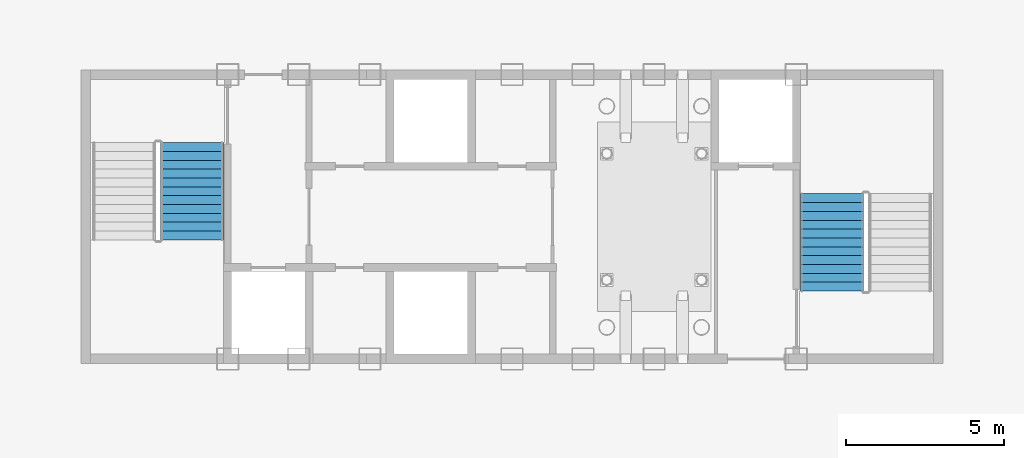
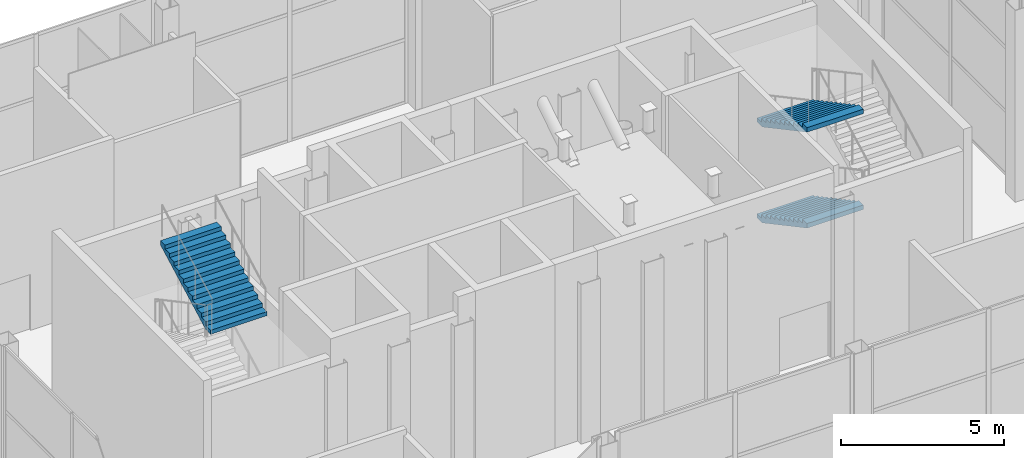
# One storey, part 12 of 15: 3 stair flights, 2 elements without a shape of their own.
"""IFC4 building model written with IfcOpenShell, lengths in metres."""

from ifc_helpers import new_model, si_unit, direction, frame, origin, place, context, subcontext, project, spatial, polygons, material, type_object, element, aggregate, save


model = new_model("IFC4")

# Units and contexts
model_context = context("Model", 3, precision=1e-05, world=origin(), true_north=direction((0.0, 1.0)))
body_context = subcontext(model_context, "Body", "Model", "MODEL_VIEW")
ifc_project = project(units=[si_unit("LENGTHUNIT", "METRE"), si_unit("AREAUNIT", "SQUARE_METRE"), si_unit("VOLUMEUNIT", "CUBIC_METRE"), si_unit("PLANEANGLEUNIT", "RADIAN"), si_unit("MASSUNIT", "GRAM", prefix="KILO")], contexts=[model_context])

# Site, building, storey
site_placement = place(None, origin())
site = spatial("IfcSite", under=ifc_project, at=site_placement, CompositionType="ELEMENT")
building_placement = place(site_placement, origin())
building = spatial("IfcBuilding", under=site, at=building_placement, Name="Caravel Reach Hotel and Residences", CompositionType="ELEMENT")
storey_placement = place(building_placement, frame((0.0, 0.0, 305.60009765625)))
storey = spatial("IfcBuildingStorey", under=building, at=storey_placement, Name="L78", CompositionType="ELEMENT", Elevation=305.60009765625)

# Stair, stair flight
ifc_material_1 = material(Name="Concrete C40", Category="concrete")
stair_type = type_object("IfcStairType", Name="Core stair", PredefinedType="HALF_TURN_STAIR", material=ifc_material_1)
stair_1_placement = place(storey_placement, origin())
stair_1 = element("IfcStair", 1, at=stair_1_placement, inside=storey, type_object=stair_type, Name="L78 Exit stair A", PredefinedType="HALF_TURN_STAIR")
ifc_material_2 = material(Name="Concrete C40", Category="concrete")
stair_flight_type = type_object("IfcStairFlightType", Name="Core stair flight", PredefinedType="STRAIGHT", material=ifc_material_2)
stair_flight_1_placement = place(storey_placement, frame((21.375, 26.27001953125, 5.39990234375), z_axis=(0.0, 0.0, 1.0), x_axis=(0.0, 1.0, 0.0)))
stair_flight_1 = element("IfcStairFlight", 2, at=stair_flight_1_placement, type_object=stair_flight_type, Name="ST-A flight 4", NumberOfRisers=12, NumberOfTreads=11, PredefinedType="STRAIGHT", RiserHeight=0.15, TreadLength=0.28, context=body_context, shape_type="Tessellation", body=[
    polygons([(0.3174408016601862, 1.0, 0.0), (0.3174408016601862, 0.6666666666666667, 0.0), (0.3174408016601862, 0.33333333333333337, 0.0), (0.3174408016601862, 0.0, 0.0), (0.3174408016601862, -0.33333333333333326, 0.0), (0.3174408016601862, -0.6666666666666667, 0.0), (0.3174408016601862, -1.0, 0.0), (3.081, 1.0, 1.479942427682043), (3.081, 0.6666666666666667, 1.479942427682043), (3.081, 0.33333333333333337, 1.479942427682043), (3.081, 0.0, 1.479942427682043), (3.081, -0.33333333333333326, 1.479942427682043), (3.081, -0.6666666666666667, 1.479942427682043), (3.081, -1.0, 1.479942427682043), (3.081, 1.0, 1.65), (3.081, 0.6666666666666667, 1.65), (3.081, 0.33333333333333337, 1.65), (3.081, 0.0, 1.65), (3.081, -0.33333333333333326, 1.65), (3.081, -0.6666666666666667, 1.65), (3.081, -1.0, 1.65), (2.8000000000000003, 1.0, 1.65), (2.8000000000000003, 0.6666666666666667, 1.65), (2.8000000000000003, 0.33333333333333337, 1.65), (2.8000000000000003, 0.0, 1.65), (2.8000000000000003, -0.33333333333333326, 1.65), (2.8000000000000003, -0.6666666666666667, 1.65), (2.8000000000000003, -1.0, 1.65), (2.8000000000000003, 1.0, 1.5), (2.8000000000000003, 0.6666666666666667, 1.5), (2.8000000000000003, 0.33333333333333337, 1.5), (2.8000000000000003, 0.0, 1.5), (2.8000000000000003, -0.33333333333333326, 1.5), (2.8000000000000003, -0.6666666666666667, 1.5), (2.8000000000000003, -1.0, 1.5), (2.5200000000000005, 1.0, 1.5), (2.5200000000000005, 0.6666666666666667, 1.5), (2.5200000000000005, 0.33333333333333337, 1.5), (2.5200000000000005, 0.0, 1.5), (2.5200000000000005, -0.33333333333333326, 1.5), (2.5200000000000005, -0.6666666666666667, 1.5), (2.5200000000000005, -1.0, 1.5), (2.5200000000000005, 1.0, 1.3499999999999999), (2.5200000000000005, 0.6666666666666667, 1.3499999999999999), (2.5200000000000005, 0.33333333333333337, 1.3499999999999999), (2.5200000000000005, 0.0, 1.3499999999999999), (2.5200000000000005, -0.33333333333333326, 1.3499999999999999), (2.5200000000000005, -0.6666666666666667, 1.3499999999999999), (2.5200000000000005, -1.0, 1.3499999999999999), (2.24, 1.0, 1.3499999999999999), (2.24, 0.6666666666666667, 1.3499999999999999), (2.24, 0.33333333333333337, 1.3499999999999999), (2.24, 0.0, 1.3499999999999999), (2.24, -0.33333333333333326, 1.3499999999999999), (2.24, -0.6666666666666667, 1.3499999999999999), (2.24, -1.0, 1.3499999999999999), (2.24, 1.0, 1.2), (2.24, 0.6666666666666667, 1.2), (2.24, 0.33333333333333337, 1.2), (2.24, 0.0, 1.2), (2.24, -0.33333333333333326, 1.2), (2.24, -0.6666666666666667, 1.2), (2.24, -1.0, 1.2), (1.9600000000000002, 1.0, 1.2), (1.9600000000000002, 0.6666666666666667, 1.2), (1.9600000000000002, 0.33333333333333337, 1.2), (1.9600000000000002, 0.0, 1.2), (1.9600000000000002, -0.33333333333333326, 1.2), (1.9600000000000002, -0.6666666666666667, 1.2), (1.9600000000000002, -1.0, 1.2), (1.9600000000000002, 1.0, 1.05), (1.9600000000000002, 0.6666666666666667, 1.05), (1.9600000000000002, 0.33333333333333337, 1.05), (1.9600000000000002, 0.0, 1.05), (1.9600000000000002, -0.33333333333333326, 1.05), (1.9600000000000002, -0.6666666666666667, 1.05), (1.9600000000000002, -1.0, 1.05), (1.6800000000000002, 1.0, 1.05), (1.6800000000000002, 0.6666666666666667, 1.05), (1.6800000000000002, 0.33333333333333337, 1.05), (1.6800000000000002, 0.0, 1.05), (1.6800000000000002, -0.33333333333333326, 1.05), (1.6800000000000002, -0.6666666666666667, 1.05), (1.6800000000000002, -1.0, 1.05), (1.6800000000000002, 1.0, 0.8999999999999999), (1.6800000000000002, 0.6666666666666667, 0.8999999999999999), (1.6800000000000002, 0.33333333333333337, 0.8999999999999999), (1.6800000000000002, 0.0, 0.8999999999999999), (1.6800000000000002, -0.33333333333333326, 0.8999999999999999), (1.6800000000000002, -0.6666666666666667, 0.8999999999999999), (1.6800000000000002, -1.0, 0.8999999999999999), (1.4000000000000001, 1.0, 0.8999999999999999), (1.4000000000000001, 0.6666666666666667, 0.8999999999999999), (1.4000000000000001, 0.33333333333333337, 0.8999999999999999), (1.4000000000000001, 0.0, 0.8999999999999999), (1.4000000000000001, -0.33333333333333326, 0.8999999999999999), (1.4000000000000001, -0.6666666666666667, 0.8999999999999999), (1.4000000000000001, -1.0, 0.8999999999999999), (1.4000000000000001, 1.0, 0.75), (1.4000000000000001, 0.6666666666666667, 0.75), (1.4000000000000001, 0.33333333333333337, 0.75), (1.4000000000000001, 0.0, 0.75), (1.4000000000000001, -0.33333333333333326, 0.75), (1.4000000000000001, -0.6666666666666667, 0.75), (1.4000000000000001, -1.0, 0.75), (1.12, 1.0, 0.75), (1.12, 0.6666666666666667, 0.75), (1.12, 0.33333333333333337, 0.75), (1.12, 0.0, 0.75), (1.12, -0.33333333333333326, 0.75), (1.12, -0.6666666666666667, 0.75), (1.12, -1.0, 0.75), (1.12, 1.0, 0.6), (1.12, 0.6666666666666667, 0.6), (1.12, 0.33333333333333337, 0.6), (1.12, 0.0, 0.6), (1.12, -0.33333333333333326, 0.6), (1.12, -0.6666666666666667, 0.6), (1.12, -1.0, 0.6), (0.8400000000000001, 1.0, 0.6), (0.8400000000000001, 0.6666666666666667, 0.6), (0.8400000000000001, 0.33333333333333337, 0.6), (0.8400000000000001, 0.0, 0.6), (0.8400000000000001, -0.33333333333333326, 0.6), (0.8400000000000001, -0.6666666666666667, 0.6), (0.8400000000000001, -1.0, 0.6), (0.8400000000000001, 1.0, 0.44999999999999996), (0.8400000000000001, 0.6666666666666667, 0.44999999999999996), (0.8400000000000001, 0.33333333333333337, 0.44999999999999996), (0.8400000000000001, 0.0, 0.44999999999999996), (0.8400000000000001, -0.33333333333333326, 0.44999999999999996), (0.8400000000000001, -0.6666666666666667, 0.44999999999999996), (0.8400000000000001, -1.0, 0.44999999999999996), (0.56, 1.0, 0.44999999999999996), (0.56, 0.6666666666666667, 0.44999999999999996), (0.56, 0.33333333333333337, 0.44999999999999996), (0.56, 0.0, 0.44999999999999996), (0.56, -0.33333333333333326, 0.44999999999999996), (0.56, -0.6666666666666667, 0.44999999999999996), (0.56, -1.0, 0.44999999999999996), (0.56, 1.0, 0.3), (0.56, 0.6666666666666667, 0.3), (0.56, 0.33333333333333337, 0.3), (0.56, 0.0, 0.3), (0.56, -0.33333333333333326, 0.3), (0.56, -0.6666666666666667, 0.3), (0.56, -1.0, 0.3), (0.28, 1.0, 0.3), (0.28, 0.6666666666666667, 0.3), (0.28, 0.33333333333333337, 0.3), (0.28, 0.0, 0.3), (0.28, -0.33333333333333326, 0.3), (0.28, -0.6666666666666667, 0.3), (0.28, -1.0, 0.3), (0.28, 1.0, 0.15), (0.28, 0.6666666666666667, 0.15), (0.28, 0.33333333333333337, 0.15), (0.28, 0.0, 0.15), (0.28, -0.33333333333333326, 0.15), (0.28, -0.6666666666666667, 0.15), (0.28, -1.0, 0.15), (-0.001, 1.0, 0.15), (-0.001, 0.6666666666666667, 0.15), (-0.001, 0.33333333333333337, 0.15), (-0.001, 0.0, 0.15), (-0.001, -0.33333333333333326, 0.15), (-0.001, -0.6666666666666667, 0.15), (-0.001, -1.0, 0.15), (-0.001, 1.0, 0.0), (-0.001, 0.6666666666666667, 0.0), (-0.001, 0.33333333333333337, 0.0), (-0.001, 0.0, 0.0), (-0.001, -0.33333333333333326, 0.0), (-0.001, -0.6666666666666667, 0.0), (-0.001, -1.0, 0.0)], [[[169, 162, 155, 148, 141, 134, 127, 120, 113, 106, 99, 92, 85, 78, 71, 64, 57, 50, 43, 36, 29, 22, 15, 8, 1]], [[7, 14, 21, 28, 35, 42, 49, 56, 63, 70, 77, 84, 91, 98, 105, 112, 119, 126, 133, 140, 147, 154, 161, 168, 175]], [[1, 8, 9, 2]], [[2, 9, 10, 3]], [[3, 10, 11, 4]], [[4, 11, 12, 5]], [[5, 12, 13, 6]], [[6, 13, 14, 7]], [[8, 15, 16, 9]], [[9, 16, 17, 10]], [[10, 17, 18, 11]], [[11, 18, 19, 12]], [[12, 19, 20, 13]], [[13, 20, 21, 14]], [[15, 22, 23, 16]], [[16, 23, 24, 17]], [[17, 24, 25, 18]], [[18, 25, 26, 19]], [[19, 26, 27, 20]], [[20, 27, 28, 21]], [[22, 29, 30, 23]], [[23, 30, 31, 24]], [[24, 31, 32, 25]], [[25, 32, 33, 26]], [[26, 33, 34, 27]], [[27, 34, 35, 28]], [[29, 36, 37, 30]], [[30, 37, 38, 31]], [[31, 38, 39, 32]], [[32, 39, 40, 33]], [[33, 40, 41, 34]], [[34, 41, 42, 35]], [[36, 43, 44, 37]], [[37, 44, 45, 38]], [[38, 45, 46, 39]], [[39, 46, 47, 40]], [[40, 47, 48, 41]], [[41, 48, 49, 42]], [[43, 50, 51, 44]], [[44, 51, 52, 45]], [[45, 52, 53, 46]], [[46, 53, 54, 47]], [[47, 54, 55, 48]], [[48, 55, 56, 49]], [[50, 57, 58, 51]], [[51, 58, 59, 52]], [[52, 59, 60, 53]], [[53, 60, 61, 54]], [[54, 61, 62, 55]], [[55, 62, 63, 56]], [[57, 64, 65, 58]], [[58, 65, 66, 59]], [[59, 66, 67, 60]], [[60, 67, 68, 61]], [[61, 68, 69, 62]], [[62, 69, 70, 63]], [[64, 71, 72, 65]], [[65, 72, 73, 66]], [[66, 73, 74, 67]], [[67, 74, 75, 68]], [[68, 75, 76, 69]], [[69, 76, 77, 70]], [[71, 78, 79, 72]], [[72, 79, 80, 73]], [[73, 80, 81, 74]], [[74, 81, 82, 75]], [[75, 82, 83, 76]], [[76, 83, 84, 77]], [[78, 85, 86, 79]], [[79, 86, 87, 80]], [[80, 87, 88, 81]], [[81, 88, 89, 82]], [[82, 89, 90, 83]], [[83, 90, 91, 84]], [[85, 92, 93, 86]], [[86, 93, 94, 87]], [[87, 94, 95, 88]], [[88, 95, 96, 89]], [[89, 96, 97, 90]], [[90, 97, 98, 91]], [[92, 99, 100, 93]], [[93, 100, 101, 94]], [[94, 101, 102, 95]], [[95, 102, 103, 96]], [[96, 103, 104, 97]], [[97, 104, 105, 98]], [[99, 106, 107, 100]], [[100, 107, 108, 101]], [[101, 108, 109, 102]], [[102, 109, 110, 103]], [[103, 110, 111, 104]], [[104, 111, 112, 105]], [[106, 113, 114, 107]], [[107, 114, 115, 108]], [[108, 115, 116, 109]], [[109, 116, 117, 110]], [[110, 117, 118, 111]], [[111, 118, 119, 112]], [[113, 120, 121, 114]], [[114, 121, 122, 115]], [[115, 122, 123, 116]], [[116, 123, 124, 117]], [[117, 124, 125, 118]], [[118, 125, 126, 119]], [[120, 127, 128, 121]], [[121, 128, 129, 122]], [[122, 129, 130, 123]], [[123, 130, 131, 124]], [[124, 131, 132, 125]], [[125, 132, 133, 126]], [[127, 134, 135, 128]], [[128, 135, 136, 129]], [[129, 136, 137, 130]], [[130, 137, 138, 131]], [[131, 138, 139, 132]], [[132, 139, 140, 133]], [[134, 141, 142, 135]], [[135, 142, 143, 136]], [[136, 143, 144, 137]], [[137, 144, 145, 138]], [[138, 145, 146, 139]], [[139, 146, 147, 140]], [[141, 148, 149, 142]], [[142, 149, 150, 143]], [[143, 150, 151, 144]], [[144, 151, 152, 145]], [[145, 152, 153, 146]], [[146, 153, 154, 147]], [[148, 155, 156, 149]], [[149, 156, 157, 150]], [[150, 157, 158, 151]], [[151, 158, 159, 152]], [[152, 159, 160, 153]], [[153, 160, 161, 154]], [[155, 162, 163, 156]], [[156, 163, 164, 157]], [[157, 164, 165, 158]], [[158, 165, 166, 159]], [[159, 166, 167, 160]], [[160, 167, 168, 161]], [[162, 169, 170, 163]], [[163, 170, 171, 164]], [[164, 171, 172, 165]], [[165, 172, 173, 166]], [[166, 173, 174, 167]], [[167, 174, 175, 168]], [[169, 1, 2, 170]], [[170, 2, 3, 171]], [[171, 3, 4, 172]], [[172, 4, 5, 173]], [[173, 5, 6, 174]], [[174, 6, 7, 175]]], closed=True),
])
aggregate(stair_1, [stair_flight_1])

# Stair, stair flights
stair_2_placement = place(storey_placement, origin())
stair_2 = element("IfcStair", 3, at=stair_2_placement, inside=storey, type_object=stair_type, Name="L78 Exit stair B", PredefinedType="HALF_TURN_STAIR")
stair_flight_2_placement = place(storey_placement, frame((41.625, 27.72998046875, 1.7998046875), z_axis=(0.0, 0.0, 1.0), x_axis=(0.0, -1.0, 0.0)))
stair_flight_2 = element("IfcStairFlight", 4, at=stair_flight_2_placement, type_object=stair_flight_type, Name="ST-B flight 2", NumberOfRisers=12, NumberOfTreads=11, PredefinedType="STRAIGHT", RiserHeight=0.15, TreadLength=0.28, context=body_context, shape_type="Tessellation", body=[
    polygons([(0.3174408016601862, 1.0, 0.0), (0.3174408016601862, 0.6666666666666667, 0.0), (0.3174408016601862, 0.33333333333333337, 0.0), (0.3174408016601862, 0.0, 0.0), (0.3174408016601862, -0.33333333333333326, 0.0), (0.3174408016601862, -0.6666666666666667, 0.0), (0.3174408016601862, -1.0, 0.0), (3.081, 1.0, 1.479942427682043), (3.081, 0.6666666666666667, 1.479942427682043), (3.081, 0.33333333333333337, 1.479942427682043), (3.081, 0.0, 1.479942427682043), (3.081, -0.33333333333333326, 1.479942427682043), (3.081, -0.6666666666666667, 1.479942427682043), (3.081, -1.0, 1.479942427682043), (3.081, 1.0, 1.65), (3.081, 0.6666666666666667, 1.65), (3.081, 0.33333333333333337, 1.65), (3.081, 0.0, 1.65), (3.081, -0.33333333333333326, 1.65), (3.081, -0.6666666666666667, 1.65), (3.081, -1.0, 1.65), (2.8000000000000003, 1.0, 1.65), (2.8000000000000003, 0.6666666666666667, 1.65), (2.8000000000000003, 0.33333333333333337, 1.65), (2.8000000000000003, 0.0, 1.65), (2.8000000000000003, -0.33333333333333326, 1.65), (2.8000000000000003, -0.6666666666666667, 1.65), (2.8000000000000003, -1.0, 1.65), (2.8000000000000003, 1.0, 1.5), (2.8000000000000003, 0.6666666666666667, 1.5), (2.8000000000000003, 0.33333333333333337, 1.5), (2.8000000000000003, 0.0, 1.5), (2.8000000000000003, -0.33333333333333326, 1.5), (2.8000000000000003, -0.6666666666666667, 1.5), (2.8000000000000003, -1.0, 1.5), (2.5200000000000005, 1.0, 1.5), (2.5200000000000005, 0.6666666666666667, 1.5), (2.5200000000000005, 0.33333333333333337, 1.5), (2.5200000000000005, 0.0, 1.5), (2.5200000000000005, -0.33333333333333326, 1.5), (2.5200000000000005, -0.6666666666666667, 1.5), (2.5200000000000005, -1.0, 1.5), (2.5200000000000005, 1.0, 1.3499999999999999), (2.5200000000000005, 0.6666666666666667, 1.3499999999999999), (2.5200000000000005, 0.33333333333333337, 1.3499999999999999), (2.5200000000000005, 0.0, 1.3499999999999999), (2.5200000000000005, -0.33333333333333326, 1.3499999999999999), (2.5200000000000005, -0.6666666666666667, 1.3499999999999999), (2.5200000000000005, -1.0, 1.3499999999999999), (2.24, 1.0, 1.3499999999999999), (2.24, 0.6666666666666667, 1.3499999999999999), (2.24, 0.33333333333333337, 1.3499999999999999), (2.24, 0.0, 1.3499999999999999), (2.24, -0.33333333333333326, 1.3499999999999999), (2.24, -0.6666666666666667, 1.3499999999999999), (2.24, -1.0, 1.3499999999999999), (2.24, 1.0, 1.2), (2.24, 0.6666666666666667, 1.2), (2.24, 0.33333333333333337, 1.2), (2.24, 0.0, 1.2), (2.24, -0.33333333333333326, 1.2), (2.24, -0.6666666666666667, 1.2), (2.24, -1.0, 1.2), (1.9600000000000002, 1.0, 1.2), (1.9600000000000002, 0.6666666666666667, 1.2), (1.9600000000000002, 0.33333333333333337, 1.2), (1.9600000000000002, 0.0, 1.2), (1.9600000000000002, -0.33333333333333326, 1.2), (1.9600000000000002, -0.6666666666666667, 1.2), (1.9600000000000002, -1.0, 1.2), (1.9600000000000002, 1.0, 1.05), (1.9600000000000002, 0.6666666666666667, 1.05), (1.9600000000000002, 0.33333333333333337, 1.05), (1.9600000000000002, 0.0, 1.05), (1.9600000000000002, -0.33333333333333326, 1.05), (1.9600000000000002, -0.6666666666666667, 1.05), (1.9600000000000002, -1.0, 1.05), (1.6800000000000002, 1.0, 1.05), (1.6800000000000002, 0.6666666666666667, 1.05), (1.6800000000000002, 0.33333333333333337, 1.05), (1.6800000000000002, 0.0, 1.05), (1.6800000000000002, -0.33333333333333326, 1.05), (1.6800000000000002, -0.6666666666666667, 1.05), (1.6800000000000002, -1.0, 1.05), (1.6800000000000002, 1.0, 0.8999999999999999), (1.6800000000000002, 0.6666666666666667, 0.8999999999999999), (1.6800000000000002, 0.33333333333333337, 0.8999999999999999), (1.6800000000000002, 0.0, 0.8999999999999999), (1.6800000000000002, -0.33333333333333326, 0.8999999999999999), (1.6800000000000002, -0.6666666666666667, 0.8999999999999999), (1.6800000000000002, -1.0, 0.8999999999999999), (1.4000000000000001, 1.0, 0.8999999999999999), (1.4000000000000001, 0.6666666666666667, 0.8999999999999999), (1.4000000000000001, 0.33333333333333337, 0.8999999999999999), (1.4000000000000001, 0.0, 0.8999999999999999), (1.4000000000000001, -0.33333333333333326, 0.8999999999999999), (1.4000000000000001, -0.6666666666666667, 0.8999999999999999), (1.4000000000000001, -1.0, 0.8999999999999999), (1.4000000000000001, 1.0, 0.75), (1.4000000000000001, 0.6666666666666667, 0.75), (1.4000000000000001, 0.33333333333333337, 0.75), (1.4000000000000001, 0.0, 0.75), (1.4000000000000001, -0.33333333333333326, 0.75), (1.4000000000000001, -0.6666666666666667, 0.75), (1.4000000000000001, -1.0, 0.75), (1.12, 1.0, 0.75), (1.12, 0.6666666666666667, 0.75), (1.12, 0.33333333333333337, 0.75), (1.12, 0.0, 0.75), (1.12, -0.33333333333333326, 0.75), (1.12, -0.6666666666666667, 0.75), (1.12, -1.0, 0.75), (1.12, 1.0, 0.6), (1.12, 0.6666666666666667, 0.6), (1.12, 0.33333333333333337, 0.6), (1.12, 0.0, 0.6), (1.12, -0.33333333333333326, 0.6), (1.12, -0.6666666666666667, 0.6), (1.12, -1.0, 0.6), (0.8400000000000001, 1.0, 0.6), (0.8400000000000001, 0.6666666666666667, 0.6), (0.8400000000000001, 0.33333333333333337, 0.6), (0.8400000000000001, 0.0, 0.6), (0.8400000000000001, -0.33333333333333326, 0.6), (0.8400000000000001, -0.6666666666666667, 0.6), (0.8400000000000001, -1.0, 0.6), (0.8400000000000001, 1.0, 0.44999999999999996), (0.8400000000000001, 0.6666666666666667, 0.44999999999999996), (0.8400000000000001, 0.33333333333333337, 0.44999999999999996), (0.8400000000000001, 0.0, 0.44999999999999996), (0.8400000000000001, -0.33333333333333326, 0.44999999999999996), (0.8400000000000001, -0.6666666666666667, 0.44999999999999996), (0.8400000000000001, -1.0, 0.44999999999999996), (0.56, 1.0, 0.44999999999999996), (0.56, 0.6666666666666667, 0.44999999999999996), (0.56, 0.33333333333333337, 0.44999999999999996), (0.56, 0.0, 0.44999999999999996), (0.56, -0.33333333333333326, 0.44999999999999996), (0.56, -0.6666666666666667, 0.44999999999999996), (0.56, -1.0, 0.44999999999999996), (0.56, 1.0, 0.3), (0.56, 0.6666666666666667, 0.3), (0.56, 0.33333333333333337, 0.3), (0.56, 0.0, 0.3), (0.56, -0.33333333333333326, 0.3), (0.56, -0.6666666666666667, 0.3), (0.56, -1.0, 0.3), (0.28, 1.0, 0.3), (0.28, 0.6666666666666667, 0.3), (0.28, 0.33333333333333337, 0.3), (0.28, 0.0, 0.3), (0.28, -0.33333333333333326, 0.3), (0.28, -0.6666666666666667, 0.3), (0.28, -1.0, 0.3), (0.28, 1.0, 0.15), (0.28, 0.6666666666666667, 0.15), (0.28, 0.33333333333333337, 0.15), (0.28, 0.0, 0.15), (0.28, -0.33333333333333326, 0.15), (0.28, -0.6666666666666667, 0.15), (0.28, -1.0, 0.15), (-0.001, 1.0, 0.15), (-0.001, 0.6666666666666667, 0.15), (-0.001, 0.33333333333333337, 0.15), (-0.001, 0.0, 0.15), (-0.001, -0.33333333333333326, 0.15), (-0.001, -0.6666666666666667, 0.15), (-0.001, -1.0, 0.15), (-0.001, 1.0, 0.0), (-0.001, 0.6666666666666667, 0.0), (-0.001, 0.33333333333333337, 0.0), (-0.001, 0.0, 0.0), (-0.001, -0.33333333333333326, 0.0), (-0.001, -0.6666666666666667, 0.0), (-0.001, -1.0, 0.0)], [[[169, 162, 155, 148, 141, 134, 127, 120, 113, 106, 99, 92, 85, 78, 71, 64, 57, 50, 43, 36, 29, 22, 15, 8, 1]], [[7, 14, 21, 28, 35, 42, 49, 56, 63, 70, 77, 84, 91, 98, 105, 112, 119, 126, 133, 140, 147, 154, 161, 168, 175]], [[1, 8, 9, 2]], [[2, 9, 10, 3]], [[3, 10, 11, 4]], [[4, 11, 12, 5]], [[5, 12, 13, 6]], [[6, 13, 14, 7]], [[8, 15, 16, 9]], [[9, 16, 17, 10]], [[10, 17, 18, 11]], [[11, 18, 19, 12]], [[12, 19, 20, 13]], [[13, 20, 21, 14]], [[15, 22, 23, 16]], [[16, 23, 24, 17]], [[17, 24, 25, 18]], [[18, 25, 26, 19]], [[19, 26, 27, 20]], [[20, 27, 28, 21]], [[22, 29, 30, 23]], [[23, 30, 31, 24]], [[24, 31, 32, 25]], [[25, 32, 33, 26]], [[26, 33, 34, 27]], [[27, 34, 35, 28]], [[29, 36, 37, 30]], [[30, 37, 38, 31]], [[31, 38, 39, 32]], [[32, 39, 40, 33]], [[33, 40, 41, 34]], [[34, 41, 42, 35]], [[36, 43, 44, 37]], [[37, 44, 45, 38]], [[38, 45, 46, 39]], [[39, 46, 47, 40]], [[40, 47, 48, 41]], [[41, 48, 49, 42]], [[43, 50, 51, 44]], [[44, 51, 52, 45]], [[45, 52, 53, 46]], [[46, 53, 54, 47]], [[47, 54, 55, 48]], [[48, 55, 56, 49]], [[50, 57, 58, 51]], [[51, 58, 59, 52]], [[52, 59, 60, 53]], [[53, 60, 61, 54]], [[54, 61, 62, 55]], [[55, 62, 63, 56]], [[57, 64, 65, 58]], [[58, 65, 66, 59]], [[59, 66, 67, 60]], [[60, 67, 68, 61]], [[61, 68, 69, 62]], [[62, 69, 70, 63]], [[64, 71, 72, 65]], [[65, 72, 73, 66]], [[66, 73, 74, 67]], [[67, 74, 75, 68]], [[68, 75, 76, 69]], [[69, 76, 77, 70]], [[71, 78, 79, 72]], [[72, 79, 80, 73]], [[73, 80, 81, 74]], [[74, 81, 82, 75]], [[75, 82, 83, 76]], [[76, 83, 84, 77]], [[78, 85, 86, 79]], [[79, 86, 87, 80]], [[80, 87, 88, 81]], [[81, 88, 89, 82]], [[82, 89, 90, 83]], [[83, 90, 91, 84]], [[85, 92, 93, 86]], [[86, 93, 94, 87]], [[87, 94, 95, 88]], [[88, 95, 96, 89]], [[89, 96, 97, 90]], [[90, 97, 98, 91]], [[92, 99, 100, 93]], [[93, 100, 101, 94]], [[94, 101, 102, 95]], [[95, 102, 103, 96]], [[96, 103, 104, 97]], [[97, 104, 105, 98]], [[99, 106, 107, 100]], [[100, 107, 108, 101]], [[101, 108, 109, 102]], [[102, 109, 110, 103]], [[103, 110, 111, 104]], [[104, 111, 112, 105]], [[106, 113, 114, 107]], [[107, 114, 115, 108]], [[108, 115, 116, 109]], [[109, 116, 117, 110]], [[110, 117, 118, 111]], [[111, 118, 119, 112]], [[113, 120, 121, 114]], [[114, 121, 122, 115]], [[115, 122, 123, 116]], [[116, 123, 124, 117]], [[117, 124, 125, 118]], [[118, 125, 126, 119]], [[120, 127, 128, 121]], [[121, 128, 129, 122]], [[122, 129, 130, 123]], [[123, 130, 131, 124]], [[124, 131, 132, 125]], [[125, 132, 133, 126]], [[127, 134, 135, 128]], [[128, 135, 136, 129]], [[129, 136, 137, 130]], [[130, 137, 138, 131]], [[131, 138, 139, 132]], [[132, 139, 140, 133]], [[134, 141, 142, 135]], [[135, 142, 143, 136]], [[136, 143, 144, 137]], [[137, 144, 145, 138]], [[138, 145, 146, 139]], [[139, 146, 147, 140]], [[141, 148, 149, 142]], [[142, 149, 150, 143]], [[143, 150, 151, 144]], [[144, 151, 152, 145]], [[145, 152, 153, 146]], [[146, 153, 154, 147]], [[148, 155, 156, 149]], [[149, 156, 157, 150]], [[150, 157, 158, 151]], [[151, 158, 159, 152]], [[152, 159, 160, 153]], [[153, 160, 161, 154]], [[155, 162, 163, 156]], [[156, 163, 164, 157]], [[157, 164, 165, 158]], [[158, 165, 166, 159]], [[159, 166, 167, 160]], [[160, 167, 168, 161]], [[162, 169, 170, 163]], [[163, 170, 171, 164]], [[164, 171, 172, 165]], [[165, 172, 173, 166]], [[166, 173, 174, 167]], [[167, 174, 175, 168]], [[169, 1, 2, 170]], [[170, 2, 3, 171]], [[171, 3, 4, 172]], [[172, 4, 5, 173]], [[173, 5, 6, 174]], [[174, 6, 7, 175]]], closed=True),
])
stair_flight_3_placement = place(storey_placement, frame((41.625, 27.72998046875, 5.39990234375), z_axis=(0.0, 0.0, 1.0), x_axis=(0.0, -1.0, 0.0)))
stair_flight_3 = element("IfcStairFlight", 5, at=stair_flight_3_placement, type_object=stair_flight_type, Name="ST-B flight 4", NumberOfRisers=12, NumberOfTreads=11, PredefinedType="STRAIGHT", RiserHeight=0.15, TreadLength=0.28, context=body_context, shape_type="Tessellation", body=[
    polygons([(0.3174408016601862, 1.0, 0.0), (0.3174408016601862, 0.6666666666666667, 0.0), (0.3174408016601862, 0.33333333333333337, 0.0), (0.3174408016601862, 0.0, 0.0), (0.3174408016601862, -0.33333333333333326, 0.0), (0.3174408016601862, -0.6666666666666667, 0.0), (0.3174408016601862, -1.0, 0.0), (3.081, 1.0, 1.479942427682043), (3.081, 0.6666666666666667, 1.479942427682043), (3.081, 0.33333333333333337, 1.479942427682043), (3.081, 0.0, 1.479942427682043), (3.081, -0.33333333333333326, 1.479942427682043), (3.081, -0.6666666666666667, 1.479942427682043), (3.081, -1.0, 1.479942427682043), (3.081, 1.0, 1.65), (3.081, 0.6666666666666667, 1.65), (3.081, 0.33333333333333337, 1.65), (3.081, 0.0, 1.65), (3.081, -0.33333333333333326, 1.65), (3.081, -0.6666666666666667, 1.65), (3.081, -1.0, 1.65), (2.8000000000000003, 1.0, 1.65), (2.8000000000000003, 0.6666666666666667, 1.65), (2.8000000000000003, 0.33333333333333337, 1.65), (2.8000000000000003, 0.0, 1.65), (2.8000000000000003, -0.33333333333333326, 1.65), (2.8000000000000003, -0.6666666666666667, 1.65), (2.8000000000000003, -1.0, 1.65), (2.8000000000000003, 1.0, 1.5), (2.8000000000000003, 0.6666666666666667, 1.5), (2.8000000000000003, 0.33333333333333337, 1.5), (2.8000000000000003, 0.0, 1.5), (2.8000000000000003, -0.33333333333333326, 1.5), (2.8000000000000003, -0.6666666666666667, 1.5), (2.8000000000000003, -1.0, 1.5), (2.5200000000000005, 1.0, 1.5), (2.5200000000000005, 0.6666666666666667, 1.5), (2.5200000000000005, 0.33333333333333337, 1.5), (2.5200000000000005, 0.0, 1.5), (2.5200000000000005, -0.33333333333333326, 1.5), (2.5200000000000005, -0.6666666666666667, 1.5), (2.5200000000000005, -1.0, 1.5), (2.5200000000000005, 1.0, 1.3499999999999999), (2.5200000000000005, 0.6666666666666667, 1.3499999999999999), (2.5200000000000005, 0.33333333333333337, 1.3499999999999999), (2.5200000000000005, 0.0, 1.3499999999999999), (2.5200000000000005, -0.33333333333333326, 1.3499999999999999), (2.5200000000000005, -0.6666666666666667, 1.3499999999999999), (2.5200000000000005, -1.0, 1.3499999999999999), (2.24, 1.0, 1.3499999999999999), (2.24, 0.6666666666666667, 1.3499999999999999), (2.24, 0.33333333333333337, 1.3499999999999999), (2.24, 0.0, 1.3499999999999999), (2.24, -0.33333333333333326, 1.3499999999999999), (2.24, -0.6666666666666667, 1.3499999999999999), (2.24, -1.0, 1.3499999999999999), (2.24, 1.0, 1.2), (2.24, 0.6666666666666667, 1.2), (2.24, 0.33333333333333337, 1.2), (2.24, 0.0, 1.2), (2.24, -0.33333333333333326, 1.2), (2.24, -0.6666666666666667, 1.2), (2.24, -1.0, 1.2), (1.9600000000000002, 1.0, 1.2), (1.9600000000000002, 0.6666666666666667, 1.2), (1.9600000000000002, 0.33333333333333337, 1.2), (1.9600000000000002, 0.0, 1.2), (1.9600000000000002, -0.33333333333333326, 1.2), (1.9600000000000002, -0.6666666666666667, 1.2), (1.9600000000000002, -1.0, 1.2), (1.9600000000000002, 1.0, 1.05), (1.9600000000000002, 0.6666666666666667, 1.05), (1.9600000000000002, 0.33333333333333337, 1.05), (1.9600000000000002, 0.0, 1.05), (1.9600000000000002, -0.33333333333333326, 1.05), (1.9600000000000002, -0.6666666666666667, 1.05), (1.9600000000000002, -1.0, 1.05), (1.6800000000000002, 1.0, 1.05), (1.6800000000000002, 0.6666666666666667, 1.05), (1.6800000000000002, 0.33333333333333337, 1.05), (1.6800000000000002, 0.0, 1.05), (1.6800000000000002, -0.33333333333333326, 1.05), (1.6800000000000002, -0.6666666666666667, 1.05), (1.6800000000000002, -1.0, 1.05), (1.6800000000000002, 1.0, 0.8999999999999999), (1.6800000000000002, 0.6666666666666667, 0.8999999999999999), (1.6800000000000002, 0.33333333333333337, 0.8999999999999999), (1.6800000000000002, 0.0, 0.8999999999999999), (1.6800000000000002, -0.33333333333333326, 0.8999999999999999), (1.6800000000000002, -0.6666666666666667, 0.8999999999999999), (1.6800000000000002, -1.0, 0.8999999999999999), (1.4000000000000001, 1.0, 0.8999999999999999), (1.4000000000000001, 0.6666666666666667, 0.8999999999999999), (1.4000000000000001, 0.33333333333333337, 0.8999999999999999), (1.4000000000000001, 0.0, 0.8999999999999999), (1.4000000000000001, -0.33333333333333326, 0.8999999999999999), (1.4000000000000001, -0.6666666666666667, 0.8999999999999999), (1.4000000000000001, -1.0, 0.8999999999999999), (1.4000000000000001, 1.0, 0.75), (1.4000000000000001, 0.6666666666666667, 0.75), (1.4000000000000001, 0.33333333333333337, 0.75), (1.4000000000000001, 0.0, 0.75), (1.4000000000000001, -0.33333333333333326, 0.75), (1.4000000000000001, -0.6666666666666667, 0.75), (1.4000000000000001, -1.0, 0.75), (1.12, 1.0, 0.75), (1.12, 0.6666666666666667, 0.75), (1.12, 0.33333333333333337, 0.75), (1.12, 0.0, 0.75), (1.12, -0.33333333333333326, 0.75), (1.12, -0.6666666666666667, 0.75), (1.12, -1.0, 0.75), (1.12, 1.0, 0.6), (1.12, 0.6666666666666667, 0.6), (1.12, 0.33333333333333337, 0.6), (1.12, 0.0, 0.6), (1.12, -0.33333333333333326, 0.6), (1.12, -0.6666666666666667, 0.6), (1.12, -1.0, 0.6), (0.8400000000000001, 1.0, 0.6), (0.8400000000000001, 0.6666666666666667, 0.6), (0.8400000000000001, 0.33333333333333337, 0.6), (0.8400000000000001, 0.0, 0.6), (0.8400000000000001, -0.33333333333333326, 0.6), (0.8400000000000001, -0.6666666666666667, 0.6), (0.8400000000000001, -1.0, 0.6), (0.8400000000000001, 1.0, 0.44999999999999996), (0.8400000000000001, 0.6666666666666667, 0.44999999999999996), (0.8400000000000001, 0.33333333333333337, 0.44999999999999996), (0.8400000000000001, 0.0, 0.44999999999999996), (0.8400000000000001, -0.33333333333333326, 0.44999999999999996), (0.8400000000000001, -0.6666666666666667, 0.44999999999999996), (0.8400000000000001, -1.0, 0.44999999999999996), (0.56, 1.0, 0.44999999999999996), (0.56, 0.6666666666666667, 0.44999999999999996), (0.56, 0.33333333333333337, 0.44999999999999996), (0.56, 0.0, 0.44999999999999996), (0.56, -0.33333333333333326, 0.44999999999999996), (0.56, -0.6666666666666667, 0.44999999999999996), (0.56, -1.0, 0.44999999999999996), (0.56, 1.0, 0.3), (0.56, 0.6666666666666667, 0.3), (0.56, 0.33333333333333337, 0.3), (0.56, 0.0, 0.3), (0.56, -0.33333333333333326, 0.3), (0.56, -0.6666666666666667, 0.3), (0.56, -1.0, 0.3), (0.28, 1.0, 0.3), (0.28, 0.6666666666666667, 0.3), (0.28, 0.33333333333333337, 0.3), (0.28, 0.0, 0.3), (0.28, -0.33333333333333326, 0.3), (0.28, -0.6666666666666667, 0.3), (0.28, -1.0, 0.3), (0.28, 1.0, 0.15), (0.28, 0.6666666666666667, 0.15), (0.28, 0.33333333333333337, 0.15), (0.28, 0.0, 0.15), (0.28, -0.33333333333333326, 0.15), (0.28, -0.6666666666666667, 0.15), (0.28, -1.0, 0.15), (-0.001, 1.0, 0.15), (-0.001, 0.6666666666666667, 0.15), (-0.001, 0.33333333333333337, 0.15), (-0.001, 0.0, 0.15), (-0.001, -0.33333333333333326, 0.15), (-0.001, -0.6666666666666667, 0.15), (-0.001, -1.0, 0.15), (-0.001, 1.0, 0.0), (-0.001, 0.6666666666666667, 0.0), (-0.001, 0.33333333333333337, 0.0), (-0.001, 0.0, 0.0), (-0.001, -0.33333333333333326, 0.0), (-0.001, -0.6666666666666667, 0.0), (-0.001, -1.0, 0.0)], [[[169, 162, 155, 148, 141, 134, 127, 120, 113, 106, 99, 92, 85, 78, 71, 64, 57, 50, 43, 36, 29, 22, 15, 8, 1]], [[7, 14, 21, 28, 35, 42, 49, 56, 63, 70, 77, 84, 91, 98, 105, 112, 119, 126, 133, 140, 147, 154, 161, 168, 175]], [[1, 8, 9, 2]], [[2, 9, 10, 3]], [[3, 10, 11, 4]], [[4, 11, 12, 5]], [[5, 12, 13, 6]], [[6, 13, 14, 7]], [[8, 15, 16, 9]], [[9, 16, 17, 10]], [[10, 17, 18, 11]], [[11, 18, 19, 12]], [[12, 19, 20, 13]], [[13, 20, 21, 14]], [[15, 22, 23, 16]], [[16, 23, 24, 17]], [[17, 24, 25, 18]], [[18, 25, 26, 19]], [[19, 26, 27, 20]], [[20, 27, 28, 21]], [[22, 29, 30, 23]], [[23, 30, 31, 24]], [[24, 31, 32, 25]], [[25, 32, 33, 26]], [[26, 33, 34, 27]], [[27, 34, 35, 28]], [[29, 36, 37, 30]], [[30, 37, 38, 31]], [[31, 38, 39, 32]], [[32, 39, 40, 33]], [[33, 40, 41, 34]], [[34, 41, 42, 35]], [[36, 43, 44, 37]], [[37, 44, 45, 38]], [[38, 45, 46, 39]], [[39, 46, 47, 40]], [[40, 47, 48, 41]], [[41, 48, 49, 42]], [[43, 50, 51, 44]], [[44, 51, 52, 45]], [[45, 52, 53, 46]], [[46, 53, 54, 47]], [[47, 54, 55, 48]], [[48, 55, 56, 49]], [[50, 57, 58, 51]], [[51, 58, 59, 52]], [[52, 59, 60, 53]], [[53, 60, 61, 54]], [[54, 61, 62, 55]], [[55, 62, 63, 56]], [[57, 64, 65, 58]], [[58, 65, 66, 59]], [[59, 66, 67, 60]], [[60, 67, 68, 61]], [[61, 68, 69, 62]], [[62, 69, 70, 63]], [[64, 71, 72, 65]], [[65, 72, 73, 66]], [[66, 73, 74, 67]], [[67, 74, 75, 68]], [[68, 75, 76, 69]], [[69, 76, 77, 70]], [[71, 78, 79, 72]], [[72, 79, 80, 73]], [[73, 80, 81, 74]], [[74, 81, 82, 75]], [[75, 82, 83, 76]], [[76, 83, 84, 77]], [[78, 85, 86, 79]], [[79, 86, 87, 80]], [[80, 87, 88, 81]], [[81, 88, 89, 82]], [[82, 89, 90, 83]], [[83, 90, 91, 84]], [[85, 92, 93, 86]], [[86, 93, 94, 87]], [[87, 94, 95, 88]], [[88, 95, 96, 89]], [[89, 96, 97, 90]], [[90, 97, 98, 91]], [[92, 99, 100, 93]], [[93, 100, 101, 94]], [[94, 101, 102, 95]], [[95, 102, 103, 96]], [[96, 103, 104, 97]], [[97, 104, 105, 98]], [[99, 106, 107, 100]], [[100, 107, 108, 101]], [[101, 108, 109, 102]], [[102, 109, 110, 103]], [[103, 110, 111, 104]], [[104, 111, 112, 105]], [[106, 113, 114, 107]], [[107, 114, 115, 108]], [[108, 115, 116, 109]], [[109, 116, 117, 110]], [[110, 117, 118, 111]], [[111, 118, 119, 112]], [[113, 120, 121, 114]], [[114, 121, 122, 115]], [[115, 122, 123, 116]], [[116, 123, 124, 117]], [[117, 124, 125, 118]], [[118, 125, 126, 119]], [[120, 127, 128, 121]], [[121, 128, 129, 122]], [[122, 129, 130, 123]], [[123, 130, 131, 124]], [[124, 131, 132, 125]], [[125, 132, 133, 126]], [[127, 134, 135, 128]], [[128, 135, 136, 129]], [[129, 136, 137, 130]], [[130, 137, 138, 131]], [[131, 138, 139, 132]], [[132, 139, 140, 133]], [[134, 141, 142, 135]], [[135, 142, 143, 136]], [[136, 143, 144, 137]], [[137, 144, 145, 138]], [[138, 145, 146, 139]], [[139, 146, 147, 140]], [[141, 148, 149, 142]], [[142, 149, 150, 143]], [[143, 150, 151, 144]], [[144, 151, 152, 145]], [[145, 152, 153, 146]], [[146, 153, 154, 147]], [[148, 155, 156, 149]], [[149, 156, 157, 150]], [[150, 157, 158, 151]], [[151, 158, 159, 152]], [[152, 159, 160, 153]], [[153, 160, 161, 154]], [[155, 162, 163, 156]], [[156, 163, 164, 157]], [[157, 164, 165, 158]], [[158, 165, 166, 159]], [[159, 166, 167, 160]], [[160, 167, 168, 161]], [[162, 169, 170, 163]], [[163, 170, 171, 164]], [[164, 171, 172, 165]], [[165, 172, 173, 166]], [[166, 173, 174, 167]], [[167, 174, 175, 168]], [[169, 1, 2, 170]], [[170, 2, 3, 171]], [[171, 3, 4, 172]], [[172, 4, 5, 173]], [[173, 5, 6, 174]], [[174, 6, 7, 175]]], closed=True),
])
aggregate(stair_2, [stair_flight_2, stair_flight_3])

save(model, "model.ifc")
